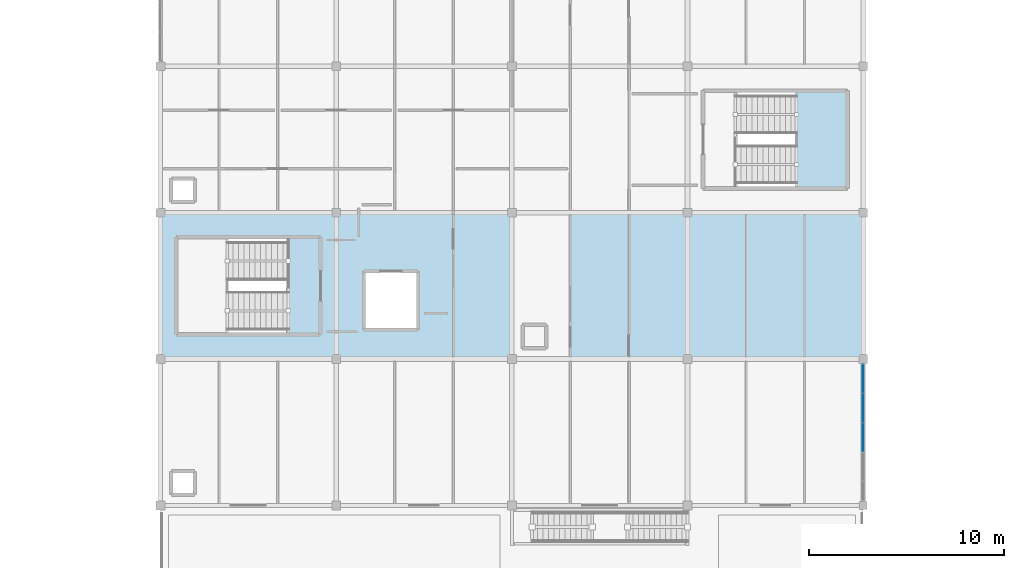
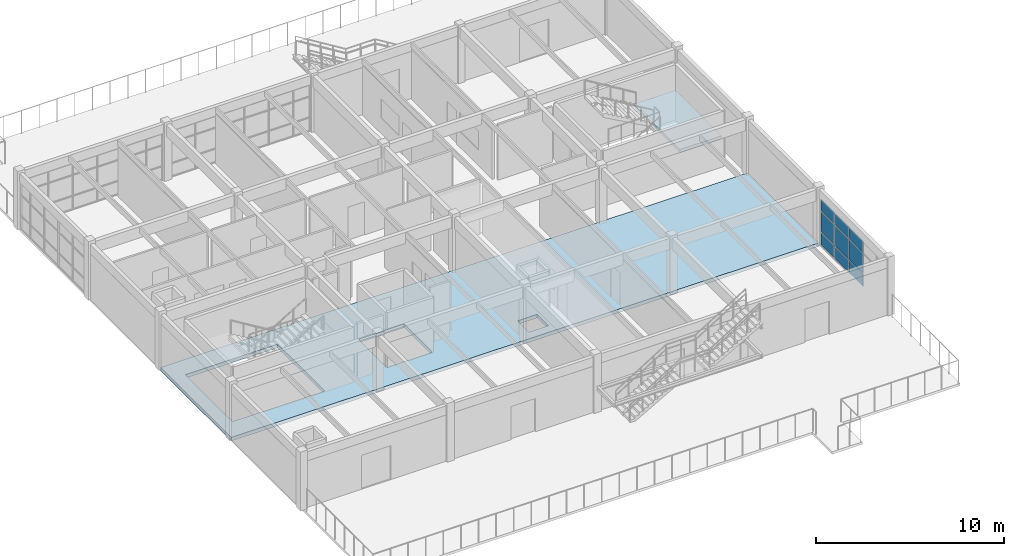
# One storey, part 26 of 45: 9 plates, 2 slabs, 2 elements without a shape of their own.
"""IFC4 building model written with IfcOpenShell, lengths in metres."""

import ifcopenshell
import ifcopenshell.guid

model = None  # the IFC model being written
_history = None  # IfcOwnerHistory: only IFC2X3 demands one
_inside = {}  # id of a spatial element -> (the spatial element, [elements in it])
_under = {}  # id of a project, library or spatial element -> (it, [spatial elements below it])
_declared = {}  # id of a project -> (the project, [libraries it declares])
_typed = {}  # id of a type object -> (the type object, [elements of that type])
_made_of = {}  # id of a material, layer set ... -> (it, [elements and type objects made of it])


def new_model(schema):
    """Start an empty IFC model of exactly this schema.

    Asked for "IFC4X3", IfcOpenShell would pick the latest addendum, in which some entities
    have other attributes; the version numbers below select the first issue.
    IFC2X3 requires an IfcOwnerHistory on every rooted entity: one is made here for all.
    """
    global model, _history
    if schema == "IFC4X3":
        model = ifcopenshell.file(schema_version=(4, 3, 0, 0))
    else:
        model = ifcopenshell.file(schema=schema)
    _inside.clear()
    _under.clear()
    _declared.clear()
    _typed.clear()
    _made_of.clear()
    _history = None
    if model.schema == "IFC2X3":
        org = make("IfcOrganization", Name="unknown")
        user = make(
            "IfcPersonAndOrganization",
            ThePerson=make("IfcPerson", FamilyName="unknown"),
            TheOrganization=org,
        )
        app = make(
            "IfcApplication",
            ApplicationDeveloper=org,
            Version="unknown",
            ApplicationFullName="unknown",
            ApplicationIdentifier="unknown",
        )
        _history = make(
            "IfcOwnerHistory",
            OwningUser=user,
            OwningApplication=app,
            ChangeAction="ADDED",
            CreationDate=0,
        )
    return model


def make(cls, **values):
    """One entity of the class cls with the attributes given. An attribute that is None is left unset."""
    return model.create_entity(
        cls, **{name: value for name, value in values.items() if value is not None}
    )


def rooted(cls, **values):
    """An entity with a GlobalId (a new one), such as an element, a storey or a relation."""
    return make(cls, GlobalId=ifcopenshell.guid.new(), OwnerHistory=_history, **values)


def si_unit(unit_type, name, prefix=None):
    """IfcSIUnit, for example si_unit("LENGTHUNIT", "METRE", prefix="MILLI")."""
    return make("IfcSIUnit", UnitType=unit_type, Prefix=prefix, Name=name)


def assignment(units):
    """IfcUnitAssignment: the units of a project."""
    return None if units is None else make("IfcUnitAssignment", Units=units)


def point(xyz):
    """IfcCartesianPoint."""
    return None if xyz is None else make("IfcCartesianPoint", Coordinates=xyz)


def direction(xyz):
    """IfcDirection."""
    return None if xyz is None else make("IfcDirection", DirectionRatios=xyz)


def frame(location, z_axis=None, x_axis=None):
    """IfcAxis2Placement3D, a coordinate frame: its origin and axes. An axis left out is left unset."""
    return make(
        "IfcAxis2Placement3D",
        Location=point(location),
        Axis=direction(z_axis),
        RefDirection=direction(x_axis),
    )


def frame_2d(location, x_axis=None):
    """IfcAxis2Placement2D, a coordinate frame in the plane: its origin and x axis."""
    return make(
        "IfcAxis2Placement2D", Location=point(location), RefDirection=direction(x_axis)
    )


def origin():
    """The frame at (0, 0, 0) with its axes left unset."""
    return frame((0.0, 0.0, 0.0))


def origin_2d():
    """The frame at (0, 0) in the plane with its x axis left unset."""
    return frame_2d((0.0, 0.0))


def place(relative_to, where):
    """IfcLocalPlacement: puts the frame where relative to a parent placement (None: the world)."""
    return make(
        "IfcLocalPlacement", PlacementRelTo=relative_to, RelativePlacement=where
    )


def context(
    kind, dimensions, precision=None, world=None, true_north=None, identifier=None
):
    """IfcGeometricRepresentationContext, for example the 3D "Model" context."""
    return make(
        "IfcGeometricRepresentationContext",
        ContextIdentifier=identifier,
        ContextType=kind,
        CoordinateSpaceDimension=dimensions,
        Precision=precision,
        WorldCoordinateSystem=world,
        TrueNorth=true_north,
    )


def subcontext(parent, identifier, kind, view, scale=None):
    """IfcGeometricRepresentationSubContext, for example "Body" below "Model"."""
    return make(
        "IfcGeometricRepresentationSubContext",
        ContextIdentifier=identifier,
        ContextType=kind,
        ParentContext=parent,
        TargetScale=scale,
        TargetView=view,
    )


def project(units=None, contexts=None):
    """IfcProject with its units and contexts."""
    return rooted(
        "IfcProject",
        Name="project",
        RepresentationContexts=contexts,
        UnitsInContext=assignment(units),
    )


def spatial(cls, under=None, at=None, **own):
    """A site, building, storey or space (cls), placed at a placement, below another one or the project."""
    s = rooted(cls, ObjectPlacement=at, **own)
    if under is not None:
        _under.setdefault(under.id(), (under, []))[1].append(s)
    return s


def polyline(points):
    """IfcPolyline through the points."""
    return make("IfcPolyline", Points=[point(p) for p in points])


def profile(cls, at=None, kind="AREA", **sizes):
    """A parametric profile (cls). Its sizes go by their IFC names, for example OverallWidth=200.0."""
    return make(cls, ProfileType=kind, Position=at, **sizes)


def rectangle(**sizes):
    """IfcRectangleProfileDef."""
    return profile("IfcRectangleProfileDef", **sizes)


def outline(outer, holes=None, kind="AREA"):
    """IfcArbitraryClosedProfileDef: a profile drawn as a closed curve; with holes, ...WithVoids."""
    if holes is None:
        return make("IfcArbitraryClosedProfileDef", ProfileType=kind, OuterCurve=outer)
    return make(
        "IfcArbitraryProfileDefWithVoids",
        ProfileType=kind,
        OuterCurve=outer,
        InnerCurves=holes,
    )


def extrude(swept, where, along, depth):
    """IfcExtrudedAreaSolid: the profile swept, set in the frame where, extruded along a direction by depth."""
    return make(
        "IfcExtrudedAreaSolid",
        SweptArea=swept,
        Position=where,
        ExtrudedDirection=direction(along),
        Depth=depth,
    )


def shape(context_of_items, identifier, shape_type, items):
    """IfcShapeRepresentation: the items that make up one representation, for example the "Body"."""
    return make(
        "IfcShapeRepresentation",
        ContextOfItems=context_of_items,
        RepresentationIdentifier=identifier,
        RepresentationType=shape_type,
        Items=items,
    )


def material(Name=None, Category=None):
    """IfcMaterial."""
    return make("IfcMaterial", Name=Name, Category=Category)


def layer(
    of_material, thickness, ventilated=None, Name=None, Category=None, Priority=None
):
    """IfcMaterialLayer: one layer of a wall or slab, of a material (None: an air gap)."""
    return make(
        "IfcMaterialLayer",
        Material=of_material,
        LayerThickness=thickness,
        IsVentilated=ventilated,
        Name=Name,
        Category=Category,
        Priority=Priority,
    )


def layer_set(layers, Name=None):
    """IfcMaterialLayerSet."""
    return make("IfcMaterialLayerSet", MaterialLayers=layers, LayerSetName=Name)


def made_of(thing, what):
    """Note that an element or type object is made of a material, layer set ...; save() writes the relation."""
    if what is not None:
        _made_of.setdefault(what.id(), (what, []))[1].append(thing)
    return thing


def type_object(cls, material=None, **own):
    """A type object (cls), such as IfcWallType, which elements share."""
    return made_of(rooted(cls, **own), material)


def element(
    cls,
    number,
    at=None,
    inside=None,
    cuts=None,
    type_object=None,
    material=None,
    context=None,
    identifier="Body",
    shape_type=None,
    held_by="IfcProductDefinitionShape",
    body=None,
    shapes=None,
    **own,
):
    """One element of the class cls, such as IfcWall. Its Tag is "e" and its number.

    at: its placement. inside: the storey or other place that contains it. cuts: it is an
    opening in that element (IfcRelVoidsElement). A single representation is given by context,
    identifier, shape_type and body (its items); several are given by shapes. held_by: the class
    of the entity that holds the representations. save() writes the other relations.
    """
    e = rooted(cls, Tag="e%d" % number, ObjectPlacement=at, **own)
    if body is not None:
        shapes = [shape(context, identifier, shape_type, body)]
    if shapes is not None:
        e.Representation = make(held_by, Representations=shapes)
    if inside is not None:
        _inside.setdefault(inside.id(), (inside, []))[1].append(e)
    if cuts is not None:
        rooted(
            "IfcRelVoidsElement", RelatingBuildingElement=cuts, RelatedOpeningElement=e
        )
    if type_object is not None:
        _typed.setdefault(type_object.id(), (type_object, []))[1].append(e)
    return made_of(e, material)


def aggregate(whole, parts):
    """IfcRelAggregates: a whole, such as a stair, and the parts it consists of."""
    return rooted("IfcRelAggregates", RelatingObject=whole, RelatedObjects=parts)


def save(model, path):
    """Write the relations noted so far, then the file.

    IfcRelAggregates (storeys below a building ...), IfcRelContainedInSpatialStructure (elements
    in a storey), IfcRelDefinesByType, IfcRelAssociatesMaterial and IfcRelDeclares: one each for
    every whole, place, type object, material and project.
    """
    for whole, parts in _under.values():
        aggregate(whole, parts)
    for where, things in _inside.values():
        rooted(
            "IfcRelContainedInSpatialStructure",
            RelatedElements=things,
            RelatingStructure=where,
        )
    for kind, things in _typed.values():
        rooted("IfcRelDefinesByType", RelatedObjects=things, RelatingType=kind)
    for what, things in _made_of.values():
        rooted("IfcRelAssociatesMaterial", RelatedObjects=things, RelatingMaterial=what)
    for by, libraries in _declared.values():
        rooted("IfcRelDeclares", RelatingContext=by, RelatedDefinitions=libraries)
    model.write(path)


model = new_model("IFC4")

# Units and contexts
model_context = context("Model", 3, precision=1e-05, world=origin(), true_north=direction((0.0, 1.0)))
body_context = subcontext(model_context, "Body", "Model", "MODEL_VIEW")
ifc_project = project(units=[si_unit("LENGTHUNIT", "METRE"), si_unit("AREAUNIT", "SQUARE_METRE"), si_unit("VOLUMEUNIT", "CUBIC_METRE"), si_unit("PLANEANGLEUNIT", "RADIAN"), si_unit("MASSUNIT", "GRAM", prefix="KILO")], contexts=[model_context])

# Site, building, storey
site_placement = place(None, origin())
site = spatial("IfcSite", under=ifc_project, at=site_placement, CompositionType="ELEMENT")
building_placement = place(site_placement, origin())
building = spatial("IfcBuilding", under=site, at=building_placement, Name="Marnridge Secondary College", CompositionType="ELEMENT")
storey_placement = place(building_placement, frame((0.0, 0.0, 12.300048828125)))
storey = spatial("IfcBuildingStorey", under=building, at=storey_placement, Name="L03", CompositionType="ELEMENT", Elevation=12.300048828125)

# Curtain wall, plates
ifc_material_1 = material(Name="Thermally broken aluminium and low-E glazing", Category="aluminium")
ifc_layer_1 = layer(ifc_material_1, 0.159912109375)
ifc_layer_set_1 = layer_set([ifc_layer_1], Name="CW-MOD-1500")
curtain_wall_type = type_object("IfcCurtainWallType", Name="CW-MOD-1500", PredefinedType="NOTDEFINED", material=ifc_layer_set_1)
curtain_wall_placement = place(storey_placement, origin())
curtain_wall = element("IfcCurtainWall", 1, at=curtain_wall_placement, inside=storey, type_object=curtain_wall_type, Name="Unitised curtain wall CW-L03-116", PredefinedType="NOTDEFINED")
ifc_material_2 = material(Name="Double-glazed low-E argon unit", Category="glass")
ifc_layer_2 = layer(ifc_material_2, 0.028076171875)
ifc_layer_set_2 = layer_set([ifc_layer_2], Name="CWP-GLZ28")
plate_type = type_object("IfcPlateType", Name="CWP-GLZ28", PredefinedType="CURTAIN_PANEL", material=ifc_layer_set_2)
plate_1_placement = place(storey_placement, frame((90.0, 51.490966796875, 0.059814453125), z_axis=(0.0, 0.0, 1.0), x_axis=(0.0, -1.0, 0.0)))
plate_1 = element("IfcPlate", 2, at=plate_1_placement, type_object=plate_type, Name="CW-L03-116 panel 1.1", PredefinedType="CURTAIN_PANEL", context=body_context, shape_type="SweptSolid", body=[
    extrude(rectangle(XDim=1.43994140625, YDim=0.028076171875, at=origin_2d()), origin(), (0.0, 0.0, 1.0), 0.81005859375),
])
plate_2_placement = place(storey_placement, frame((90.0, 51.490966796875, 0.929931640625), z_axis=(0.0, 0.0, 1.0), x_axis=(0.0, -1.0, 0.0)))
plate_2 = element("IfcPlate", 3, at=plate_2_placement, type_object=plate_type, Name="CW-L03-116 panel 1.2", PredefinedType="CURTAIN_PANEL", context=body_context, shape_type="SweptSolid", body=[
    extrude(rectangle(XDim=1.43994140625, YDim=0.028076171875, at=origin_2d()), origin(), (0.0, 0.0, 1.0), 1.2900390625),
])
plate_3_placement = place(storey_placement, frame((90.0, 51.490966796875, 2.280029296875), z_axis=(0.0, 0.0, 1.0), x_axis=(0.0, -1.0, 0.0)))
plate_3 = element("IfcPlate", 4, at=plate_3_placement, type_object=plate_type, Name="CW-L03-116 panel 1.3", PredefinedType="CURTAIN_PANEL", context=body_context, shape_type="SweptSolid", body=[
    extrude(rectangle(XDim=1.43994140625, YDim=0.028076171875, at=origin_2d()), origin(), (0.0, 0.0, 1.0), 0.70703125),
])
plate_4_placement = place(storey_placement, frame((90.0, 49.990966796875, 0.059814453125), z_axis=(0.0, 0.0, 1.0), x_axis=(0.0, -1.0, 0.0)))
plate_4 = element("IfcPlate", 5, at=plate_4_placement, type_object=plate_type, Name="CW-L03-116 panel 2.1", PredefinedType="CURTAIN_PANEL", context=body_context, shape_type="SweptSolid", body=[
    extrude(rectangle(XDim=1.43994140625, YDim=0.028076171875, at=origin_2d()), origin(), (0.0, 0.0, 1.0), 0.81005859375),
])
plate_5_placement = place(storey_placement, frame((90.0, 49.990966796875, 0.929931640625), z_axis=(0.0, 0.0, 1.0), x_axis=(0.0, -1.0, 0.0)))
plate_5 = element("IfcPlate", 6, at=plate_5_placement, type_object=plate_type, Name="CW-L03-116 panel 2.2", PredefinedType="CURTAIN_PANEL", context=body_context, shape_type="SweptSolid", body=[
    extrude(rectangle(XDim=1.43994140625, YDim=0.028076171875, at=origin_2d()), origin(), (0.0, 0.0, 1.0), 1.2900390625),
])
plate_6_placement = place(storey_placement, frame((90.0, 49.990966796875, 2.280029296875), z_axis=(0.0, 0.0, 1.0), x_axis=(0.0, -1.0, 0.0)))
plate_6 = element("IfcPlate", 7, at=plate_6_placement, type_object=plate_type, Name="CW-L03-116 panel 2.3", PredefinedType="CURTAIN_PANEL", context=body_context, shape_type="SweptSolid", body=[
    extrude(rectangle(XDim=1.43994140625, YDim=0.028076171875, at=origin_2d()), origin(), (0.0, 0.0, 1.0), 0.70703125),
])
plate_7_placement = place(storey_placement, frame((90.0, 48.490966796875, 0.059814453125), z_axis=(0.0, 0.0, 1.0), x_axis=(0.0, -1.0, 0.0)))
plate_7 = element("IfcPlate", 8, at=plate_7_placement, type_object=plate_type, Name="CW-L03-116 panel 3.1", PredefinedType="CURTAIN_PANEL", context=body_context, shape_type="SweptSolid", body=[
    extrude(rectangle(XDim=1.43994140625, YDim=0.028076171875, at=origin_2d()), origin(), (0.0, 0.0, 1.0), 0.81005859375),
])
plate_8_placement = place(storey_placement, frame((90.0, 48.490966796875, 0.929931640625), z_axis=(0.0, 0.0, 1.0), x_axis=(0.0, -1.0, 0.0)))
plate_8 = element("IfcPlate", 9, at=plate_8_placement, type_object=plate_type, Name="CW-L03-116 panel 3.2", PredefinedType="CURTAIN_PANEL", context=body_context, shape_type="SweptSolid", body=[
    extrude(rectangle(XDim=1.43994140625, YDim=0.028076171875, at=origin_2d()), origin(), (0.0, 0.0, 1.0), 1.2900390625),
])
plate_9_placement = place(storey_placement, frame((90.0, 48.490966796875, 2.280029296875), z_axis=(0.0, 0.0, 1.0), x_axis=(0.0, -1.0, 0.0)))
plate_9 = element("IfcPlate", 10, at=plate_9_placement, type_object=plate_type, Name="CW-L03-116 panel 3.3", PredefinedType="CURTAIN_PANEL", context=body_context, shape_type="SweptSolid", body=[
    extrude(rectangle(XDim=1.43994140625, YDim=0.028076171875, at=origin_2d()), origin(), (0.0, 0.0, 1.0), 0.70703125),
])
aggregate(curtain_wall, [plate_1, plate_2, plate_3, plate_4, plate_5, plate_6, plate_7, plate_8, plate_9])

# Slab
ifc_material_3 = material(Name="Cross-laminated timber CL7", Category="wood")
ifc_layer_3 = layer(ifc_material_3, 0.22998046875)
ifc_layer_set_3 = layer_set([ifc_layer_3], Name="SL-CLT-230")
slab_type_1 = type_object("IfcSlabType", Name="SL-CLT-230", PredefinedType="FLOOR", material=ifc_layer_set_3)
slab_1_placement = place(storey_placement, frame((0.0, 0.0, -0.22998046875)))
element("IfcSlab", 11, at=slab_1_placement, inside=storey, type_object=slab_type_1, Name="Floor slab SL-L03-039", PredefinedType="FLOOR", context=body_context, shape_type="SweptSolid", body=[
    extrude(outline(polyline([(54.0, 60.0), (90.0, 60.0), (90.0, 52.5), (54.0, 52.5), (54.0, 60.0)]), holes=[polyline([(54.800048828125, 53.75), (60.449951171875, 53.75), (60.449951171875, 58.75), (54.800048828125, 58.75), (54.800048828125, 53.75)]), polyline([(64.39990234375, 54.0), (67.199951171875, 54.0), (67.199951171875, 57.0), (64.39990234375, 57.0), (64.39990234375, 54.0)]), polyline([(72.550048828125, 53.050048828125), (73.75, 53.050048828125), (73.75, 54.25), (72.550048828125, 54.25), (72.550048828125, 53.050048828125)])]), origin(), (0.0, 0.0, 1.0), 0.22998046875),
])

# Stair, slab
ifc_material_4 = material(Name="Concrete C40/50 (AS 3600 N40, 40 MPa)", Category="concrete")
stair_type = type_object("IfcStairType", Name="STC1", PredefinedType="HALF_TURN_STAIR", material=ifc_material_4)
stair_placement = place(storey_placement, origin())
stair = element("IfcStair", 12, at=stair_placement, inside=storey, type_object=stair_type, Name="Fire-isolated stair ST-02-L03", PredefinedType="HALF_TURN_STAIR")
ifc_material_5 = material(Name="Concrete C40/50 (AS 3600 N40, 40 MPa)", Category="concrete")
ifc_layer_4 = layer(ifc_material_5, 0.199951171875)
ifc_layer_set_4 = layer_set([ifc_layer_4], Name="SL-LAND-200")
slab_type_2 = type_object("IfcSlabType", Name="SL-LAND-200", PredefinedType="LANDING", material=ifc_layer_set_4)
slab_2_placement = place(storey_placement, frame((0.0, 0.0, 1.699951171875)))
slab_2 = element("IfcSlab", 13, at=slab_2_placement, type_object=slab_type_2, Name="ST-02-L03 landing 1", PredefinedType="LANDING", context=body_context, shape_type="SweptSolid", body=[
    extrude(outline(polyline([(86.5849609375, 61.31005859375), (89.139892578125, 61.31005859375), (89.139892578125, 66.18994140625), (86.5849609375, 66.18994140625), (86.5849609375, 61.31005859375)])), origin(), (0.0, 0.0, 1.0), 0.199951171875),
])
aggregate(stair, [slab_2])

save(model, "model.ifc")
